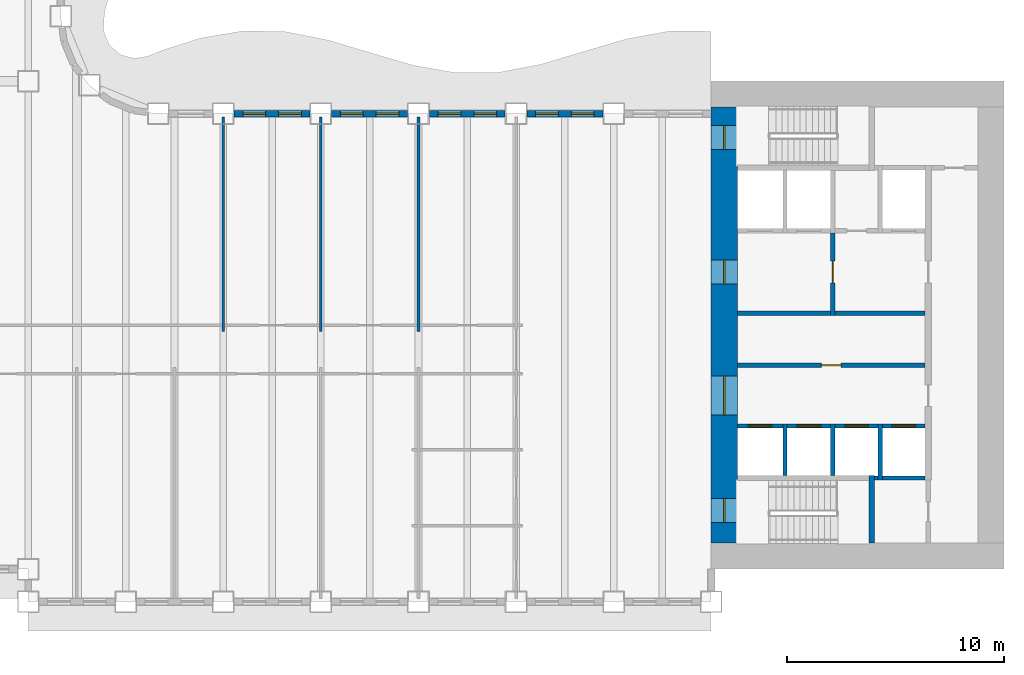
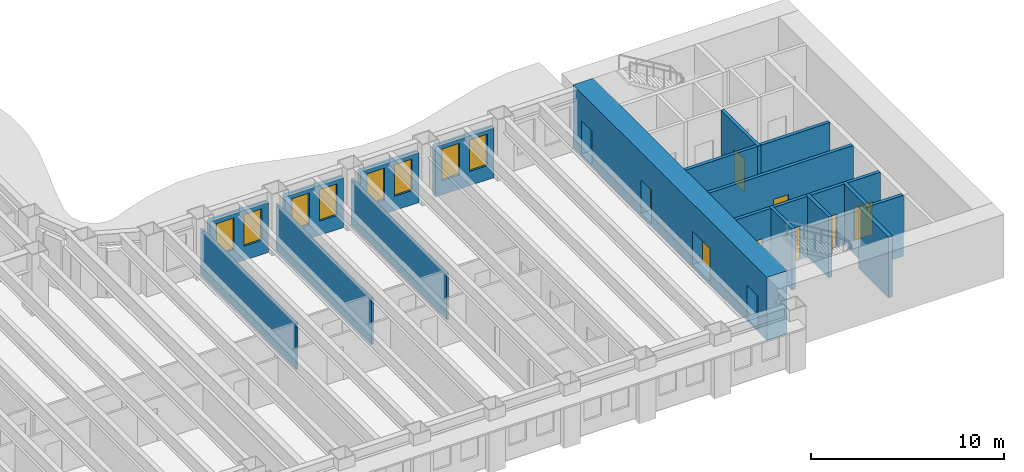
# One storey, part 6 of 16: 22 walls, 10 doors, 8 windows, 18 openings.
"""IFC4 building model written with IfcOpenShell, lengths in metres."""

import ifcopenshell
import ifcopenshell.guid

model = None  # the IFC model being written
_history = None  # IfcOwnerHistory: only IFC2X3 demands one
_inside = {}  # id of a spatial element -> (the spatial element, [elements in it])
_under = {}  # id of a project, library or spatial element -> (it, [spatial elements below it])
_declared = {}  # id of a project -> (the project, [libraries it declares])
_typed = {}  # id of a type object -> (the type object, [elements of that type])
_made_of = {}  # id of a material, layer set ... -> (it, [elements and type objects made of it])


def new_model(schema):
    """Start an empty IFC model of exactly this schema.

    Asked for "IFC4X3", IfcOpenShell would pick the latest addendum, in which some entities
    have other attributes; the version numbers below select the first issue.
    IFC2X3 requires an IfcOwnerHistory on every rooted entity: one is made here for all.
    """
    global model, _history
    if schema == "IFC4X3":
        model = ifcopenshell.file(schema_version=(4, 3, 0, 0))
    else:
        model = ifcopenshell.file(schema=schema)
    _inside.clear()
    _under.clear()
    _declared.clear()
    _typed.clear()
    _made_of.clear()
    _history = None
    if model.schema == "IFC2X3":
        org = make("IfcOrganization", Name="unknown")
        user = make(
            "IfcPersonAndOrganization",
            ThePerson=make("IfcPerson", FamilyName="unknown"),
            TheOrganization=org,
        )
        app = make(
            "IfcApplication",
            ApplicationDeveloper=org,
            Version="unknown",
            ApplicationFullName="unknown",
            ApplicationIdentifier="unknown",
        )
        _history = make(
            "IfcOwnerHistory",
            OwningUser=user,
            OwningApplication=app,
            ChangeAction="ADDED",
            CreationDate=0,
        )
    return model


def make(cls, **values):
    """One entity of the class cls with the attributes given. An attribute that is None is left unset."""
    return model.create_entity(
        cls, **{name: value for name, value in values.items() if value is not None}
    )


def rooted(cls, **values):
    """An entity with a GlobalId (a new one), such as an element, a storey or a relation."""
    return make(cls, GlobalId=ifcopenshell.guid.new(), OwnerHistory=_history, **values)


def si_unit(unit_type, name, prefix=None):
    """IfcSIUnit, for example si_unit("LENGTHUNIT", "METRE", prefix="MILLI")."""
    return make("IfcSIUnit", UnitType=unit_type, Prefix=prefix, Name=name)


def assignment(units):
    """IfcUnitAssignment: the units of a project."""
    return None if units is None else make("IfcUnitAssignment", Units=units)


def point(xyz):
    """IfcCartesianPoint."""
    return None if xyz is None else make("IfcCartesianPoint", Coordinates=xyz)


def direction(xyz):
    """IfcDirection."""
    return None if xyz is None else make("IfcDirection", DirectionRatios=xyz)


def frame(location, z_axis=None, x_axis=None):
    """IfcAxis2Placement3D, a coordinate frame: its origin and axes. An axis left out is left unset."""
    return make(
        "IfcAxis2Placement3D",
        Location=point(location),
        Axis=direction(z_axis),
        RefDirection=direction(x_axis),
    )


def frame_2d(location, x_axis=None):
    """IfcAxis2Placement2D, a coordinate frame in the plane: its origin and x axis."""
    return make(
        "IfcAxis2Placement2D", Location=point(location), RefDirection=direction(x_axis)
    )


def origin():
    """The frame at (0, 0, 0) with its axes left unset."""
    return frame((0.0, 0.0, 0.0))


def place(relative_to, where):
    """IfcLocalPlacement: puts the frame where relative to a parent placement (None: the world)."""
    return make(
        "IfcLocalPlacement", PlacementRelTo=relative_to, RelativePlacement=where
    )


def context(
    kind, dimensions, precision=None, world=None, true_north=None, identifier=None
):
    """IfcGeometricRepresentationContext, for example the 3D "Model" context."""
    return make(
        "IfcGeometricRepresentationContext",
        ContextIdentifier=identifier,
        ContextType=kind,
        CoordinateSpaceDimension=dimensions,
        Precision=precision,
        WorldCoordinateSystem=world,
        TrueNorth=true_north,
    )


def subcontext(parent, identifier, kind, view, scale=None):
    """IfcGeometricRepresentationSubContext, for example "Body" below "Model"."""
    return make(
        "IfcGeometricRepresentationSubContext",
        ContextIdentifier=identifier,
        ContextType=kind,
        ParentContext=parent,
        TargetScale=scale,
        TargetView=view,
    )


def project(units=None, contexts=None):
    """IfcProject with its units and contexts."""
    return rooted(
        "IfcProject",
        Name="project",
        RepresentationContexts=contexts,
        UnitsInContext=assignment(units),
    )


def spatial(cls, under=None, at=None, **own):
    """A site, building, storey or space (cls), placed at a placement, below another one or the project."""
    s = rooted(cls, ObjectPlacement=at, **own)
    if under is not None:
        _under.setdefault(under.id(), (under, []))[1].append(s)
    return s


def profile(cls, at=None, kind="AREA", **sizes):
    """A parametric profile (cls). Its sizes go by their IFC names, for example OverallWidth=200.0."""
    return make(cls, ProfileType=kind, Position=at, **sizes)


def rectangle(**sizes):
    """IfcRectangleProfileDef."""
    return profile("IfcRectangleProfileDef", **sizes)


def extrude(swept, where, along, depth):
    """IfcExtrudedAreaSolid: the profile swept, set in the frame where, extruded along a direction by depth."""
    return make(
        "IfcExtrudedAreaSolid",
        SweptArea=swept,
        Position=where,
        ExtrudedDirection=direction(along),
        Depth=depth,
    )


def shape(context_of_items, identifier, shape_type, items):
    """IfcShapeRepresentation: the items that make up one representation, for example the "Body"."""
    return make(
        "IfcShapeRepresentation",
        ContextOfItems=context_of_items,
        RepresentationIdentifier=identifier,
        RepresentationType=shape_type,
        Items=items,
    )


def material(Name=None, Category=None):
    """IfcMaterial."""
    return make("IfcMaterial", Name=Name, Category=Category)


def layer(
    of_material, thickness, ventilated=None, Name=None, Category=None, Priority=None
):
    """IfcMaterialLayer: one layer of a wall or slab, of a material (None: an air gap)."""
    return make(
        "IfcMaterialLayer",
        Material=of_material,
        LayerThickness=thickness,
        IsVentilated=ventilated,
        Name=Name,
        Category=Category,
        Priority=Priority,
    )


def layer_set(layers, Name=None):
    """IfcMaterialLayerSet."""
    return make("IfcMaterialLayerSet", MaterialLayers=layers, LayerSetName=Name)


def made_of(thing, what):
    """Note that an element or type object is made of a material, layer set ...; save() writes the relation."""
    if what is not None:
        _made_of.setdefault(what.id(), (what, []))[1].append(thing)
    return thing


def type_object(cls, material=None, **own):
    """A type object (cls), such as IfcWallType, which elements share."""
    return made_of(rooted(cls, **own), material)


def element(
    cls,
    number,
    at=None,
    inside=None,
    cuts=None,
    type_object=None,
    material=None,
    context=None,
    identifier="Body",
    shape_type=None,
    held_by="IfcProductDefinitionShape",
    body=None,
    shapes=None,
    **own,
):
    """One element of the class cls, such as IfcWall. Its Tag is "e" and its number.

    at: its placement. inside: the storey or other place that contains it. cuts: it is an
    opening in that element (IfcRelVoidsElement). A single representation is given by context,
    identifier, shape_type and body (its items); several are given by shapes. held_by: the class
    of the entity that holds the representations. save() writes the other relations.
    """
    e = rooted(cls, Tag="e%d" % number, ObjectPlacement=at, **own)
    if body is not None:
        shapes = [shape(context, identifier, shape_type, body)]
    if shapes is not None:
        e.Representation = make(held_by, Representations=shapes)
    if inside is not None:
        _inside.setdefault(inside.id(), (inside, []))[1].append(e)
    if cuts is not None:
        rooted(
            "IfcRelVoidsElement", RelatingBuildingElement=cuts, RelatedOpeningElement=e
        )
    if type_object is not None:
        _typed.setdefault(type_object.id(), (type_object, []))[1].append(e)
    return made_of(e, material)


def fill(opening, filler):
    """IfcRelFillsElement: the door or window that sits in an opening."""
    return rooted(
        "IfcRelFillsElement",
        RelatingOpeningElement=opening,
        RelatedBuildingElement=filler,
    )


def aggregate(whole, parts):
    """IfcRelAggregates: a whole, such as a stair, and the parts it consists of."""
    return rooted("IfcRelAggregates", RelatingObject=whole, RelatedObjects=parts)


def save(model, path):
    """Write the relations noted so far, then the file.

    IfcRelAggregates (storeys below a building ...), IfcRelContainedInSpatialStructure (elements
    in a storey), IfcRelDefinesByType, IfcRelAssociatesMaterial and IfcRelDeclares: one each for
    every whole, place, type object, material and project.
    """
    for whole, parts in _under.values():
        aggregate(whole, parts)
    for where, things in _inside.values():
        rooted(
            "IfcRelContainedInSpatialStructure",
            RelatedElements=things,
            RelatingStructure=where,
        )
    for kind, things in _typed.values():
        rooted("IfcRelDefinesByType", RelatedObjects=things, RelatingType=kind)
    for what, things in _made_of.values():
        rooted("IfcRelAssociatesMaterial", RelatedObjects=things, RelatingMaterial=what)
    for by, libraries in _declared.values():
        rooted("IfcRelDeclares", RelatingContext=by, RelatedDefinitions=libraries)
    model.write(path)


model = new_model("IFC4")

# Units and contexts
model_context = context("Model", 3, precision=1e-05, world=origin(), true_north=direction((0.0, 1.0)))
body_context = subcontext(model_context, "Body", "Model", "MODEL_VIEW")
ifc_project = project(units=[si_unit("LENGTHUNIT", "METRE"), si_unit("AREAUNIT", "SQUARE_METRE"), si_unit("VOLUMEUNIT", "CUBIC_METRE"), si_unit("PLANEANGLEUNIT", "RADIAN"), si_unit("MASSUNIT", "GRAM", prefix="KILO")], contexts=[model_context])

# Site, building, storey
site_placement = place(None, origin())
site = spatial("IfcSite", under=ifc_project, at=site_placement, CompositionType="ELEMENT")
building_placement = place(site_placement, origin())
building = spatial("IfcBuilding", under=site, at=building_placement, Name="Sennacour Bend Tower", CompositionType="ELEMENT")
storey_placement = place(building_placement, frame((0.0, 0.0, 115.0)))
storey = spatial("IfcBuildingStorey", under=building, at=storey_placement, Name="L26", CompositionType="ELEMENT", Elevation=115.0)

# Wall, openings, doors
ifc_material_1 = material(Name="Concrete C80/95", Category="concrete")
ifc_layer_1 = layer(ifc_material_1, 1.199951171875, Name="Concrete C80/95", Category="concrete")
ifc_layer_set_1 = layer_set([ifc_layer_1], Name="Concrete C80/95")
wall_type_1 = type_object("IfcWallType", Name="Core wall 1200 C80/95", PredefinedType="SHEAR", material=ifc_layer_set_1)
wall_1_placement = place(storey_placement, frame((54.60009765625, 1.199951171875, -0.14990234375), z_axis=(0.0, 0.0, 1.0), x_axis=(0.0, 1.0, 0.0)))
wall_1 = element("IfcWall", 1, at=wall_1_placement, inside=storey, type_object=wall_type_1, Name="Core A wall L26 W", PredefinedType="SHEAR", context=body_context, shape_type="SweptSolid", body=[
    extrude(rectangle(XDim=20.10009765625, YDim=1.199951171875, at=frame_2d((10.050048828125, 0.0))), origin(), (0.0, 0.0, 1.0), 4.0),
])
opening_1_placement = place(wall_1_placement, frame((5.89990234375, 0.0, 0.14990234375)))
opening_1 = element("IfcOpeningElement", 2, at=opening_1_placement, cuts=wall_1, Name="Opening CD", PredefinedType="OPENING", context=body_context, shape_type="SweptSolid", body=[
    extrude(rectangle(XDim=1.800048828125, YDim=2.10009765625, at=frame_2d((0.89990234375, 1.050048828125))), frame((0.0, 0.60986328125, 0.0), z_axis=(0.0, -1.0, 0.0), x_axis=(1.0, 0.0, 0.0)), (0.0, 0.0, 1.0), 1.219970703125),
])
opening_2_placement = place(wall_1_placement, frame((11.949951171875, 0.0, 0.14990234375)))
opening_2 = element("IfcOpeningElement", 3, at=opening_2_placement, cuts=wall_1, Name="Opening FD", PredefinedType="OPENING", context=body_context, shape_type="SweptSolid", body=[
    extrude(rectangle(XDim=1.10009765625, YDim=2.10009765625, at=frame_2d((0.550048828125, 1.050048828125))), frame((0.0, 0.60986328125, 0.0), z_axis=(0.0, -1.0, 0.0), x_axis=(1.0, 0.0, 0.0)), (0.0, 0.0, 1.0), 1.219970703125),
])
opening_3_placement = place(wall_1_placement, frame((0.949951171875, 0.0, 0.14990234375)))
opening_3 = element("IfcOpeningElement", 4, at=opening_3_placement, cuts=wall_1, Name="Opening SD", PredefinedType="OPENING", context=body_context, shape_type="SweptSolid", body=[
    extrude(rectangle(XDim=1.10009765625, YDim=2.10009765625, at=frame_2d((0.550048828125, 1.050048828125))), frame((0.0, 0.60986328125, 0.0), z_axis=(0.0, -1.0, 0.0), x_axis=(1.0, 0.0, 0.0)), (0.0, 0.0, 1.0), 1.219970703125),
])
opening_4_placement = place(wall_1_placement, frame((18.14990234375, 0.0, 0.14990234375)))
opening_4 = element("IfcOpeningElement", 5, at=opening_4_placement, cuts=wall_1, Name="Opening SD", PredefinedType="OPENING", context=body_context, shape_type="SweptSolid", body=[
    extrude(rectangle(XDim=1.10009765625, YDim=2.10009765625, at=frame_2d((0.550048828125, 1.050048828125))), frame((0.0, 0.60986328125, 0.0), z_axis=(0.0, -1.0, 0.0), x_axis=(1.0, 0.0, 0.0)), (0.0, 0.0, 1.0), 1.219970703125),
])
ifc_material_2 = material(Name="Painted steel", Category="steel")
door_type_1 = type_object("IfcDoorType", Name="DR-FFL-1100", OperationType="NOTDEFINED", PredefinedType="DOOR", material=ifc_material_2)
door_1_placement = place(opening_2_placement, origin())
door_1 = element("IfcDoor", 6, at=door_1_placement, inside=storey, type_object=door_type_1, Name="Door", OperationType="SINGLE_SWING_RIGHT", OverallHeight=2.10009765625, OverallWidth=1.10009765625, PredefinedType="DOOR", context=body_context, shape_type="SweptSolid", body=[
    extrude(rectangle(XDim=1.10009765625, YDim=2.10009765625, at=frame_2d((0.550048828125, 1.050048828125))), frame((0.0, 0.02490234375, 0.0), z_axis=(0.0, -1.0, 0.0), x_axis=(1.0, 0.0, 0.0)), (0.0, 0.0, 1.0), 0.050048828125),
])
fill(opening_2, door_1)
door_type_2 = type_object("IfcDoorType", Name="DR-LOBBY-1800", OperationType="NOTDEFINED", PredefinedType="DOOR", material=ifc_material_2)
door_2_placement = place(opening_1_placement, origin())
door_2 = element("IfcDoor", 7, at=door_2_placement, inside=storey, type_object=door_type_2, Name="Door", OperationType="DOUBLE_DOOR_SINGLE_SWING", OverallHeight=2.10009765625, OverallWidth=1.800048828125, PredefinedType="DOOR", context=body_context, shape_type="SweptSolid", body=[
    extrude(rectangle(XDim=1.800048828125, YDim=2.10009765625, at=frame_2d((0.89990234375, 1.050048828125))), frame((0.0, 0.02490234375, 0.0), z_axis=(0.0, -1.0, 0.0), x_axis=(1.0, 0.0, 0.0)), (0.0, 0.0, 1.0), 0.050048828125),
])
fill(opening_1, door_2)
door_type_3 = type_object("IfcDoorType", Name="DR-STAIR-1100", OperationType="NOTDEFINED", PredefinedType="DOOR", material=ifc_material_2)
door_3_placement = place(opening_3_placement, origin())
door_3 = element("IfcDoor", 8, at=door_3_placement, inside=storey, type_object=door_type_3, Name="Door", OperationType="SINGLE_SWING_LEFT", OverallHeight=2.10009765625, OverallWidth=1.10009765625, PredefinedType="DOOR", context=body_context, shape_type="SweptSolid", body=[
    extrude(rectangle(XDim=1.10009765625, YDim=2.10009765625, at=frame_2d((0.550048828125, 1.050048828125))), frame((0.0, 0.02490234375, 0.0), z_axis=(0.0, -1.0, 0.0), x_axis=(1.0, 0.0, 0.0)), (0.0, 0.0, 1.0), 0.050048828125),
])
fill(opening_3, door_3)
door_4_placement = place(opening_4_placement, origin())
door_4 = element("IfcDoor", 9, at=door_4_placement, inside=storey, type_object=door_type_3, Name="Door", OperationType="SINGLE_SWING_RIGHT", OverallHeight=2.10009765625, OverallWidth=1.10009765625, PredefinedType="DOOR", context=body_context, shape_type="SweptSolid", body=[
    extrude(rectangle(XDim=1.10009765625, YDim=2.10009765625, at=frame_2d((0.550048828125, 1.050048828125))), frame((0.0, 0.02490234375, 0.0), z_axis=(0.0, -1.0, 0.0), x_axis=(1.0, 0.0, 0.0)), (0.0, 0.0, 1.0), 0.050048828125),
])
fill(opening_4, door_4)

# Walls
ifc_material_3 = material(Name="Plasterboard partition on steel studs", Category="steel")
ifc_layer_2 = layer(ifc_material_3, 0.1201171875, Name="Plasterboard partition on steel studs", Category="steel")
ifc_layer_set_2 = layer_set([ifc_layer_2], Name="Plasterboard partition on steel studs")
wall_type_2 = type_object("IfcWallType", Name="Partition 120", PredefinedType="PARTITIONING", material=ifc_layer_set_2)
for number, where, z_axis, x_axis, name in (
    (10, (31.5, 10.949951171875, 0.0), (0.0, 0.0, 1.0), (0.0, 1.0, 0.0), "P-L26-W028a"),
    (11, (36.0, 10.949951171875, 0.0), (0.0, 0.0, 1.0), (0.0, 1.0, 0.0), "P-L26-W030a"),
    (12, (40.5, 10.949951171875, 0.0), (0.0, 0.0, 1.0), (0.0, 1.0, 0.0), "P-L26-W032a"),
):
    element("IfcWall", number, at=place(storey_placement, frame(where, z_axis=z_axis, x_axis=x_axis)), inside=storey, type_object=wall_type_2, Name=name, PredefinedType="PARTITIONING", context=body_context, shape_type="SweptSolid", body=[
        extrude(rectangle(XDim=9.900146484375, YDim=0.1201171875, at=frame_2d((4.9501953125, 0.0))), origin(), (0.0, 0.0, 1.0), 2.93798828125),
    ])

# Wall, opening, door
ifc_material_4 = material(Name="Fire-rated plasterboard partition on steel studs", Category="steel")
ifc_layer_3 = layer(ifc_material_4, 0.199951171875, Name="Fire-rated plasterboard partition on steel studs", Category="steel")
ifc_layer_set_3 = layer_set([ifc_layer_3], Name="Fire-rated plasterboard partition on steel studs")
wall_type_3 = type_object("IfcWallType", Name="Rated partition 200", PredefinedType="PARTITIONING", material=ifc_layer_set_3)
wall_2_placement = place(storey_placement, frame((55.199951171875, 9.39990234375, 0.0), z_axis=(0.0, 0.0, 1.0), x_axis=(1.0, 0.0, 0.0)))
wall_2 = element("IfcWall", 13, at=wall_2_placement, inside=storey, type_object=wall_type_3, Name="P-L26-W056", PredefinedType="PARTITIONING", context=body_context, shape_type="SweptSolid", body=[
    extrude(rectangle(XDim=8.650146484375, YDim=0.199951171875, at=frame_2d((4.3251953125, 0.0))), origin(), (0.0, 0.0, 1.0), 3.85009765625),
])
opening_5_placement = place(wall_2_placement, frame((3.875, 0.0, 0.0)))
opening_5 = element("IfcOpeningElement", 14, at=opening_5_placement, cuts=wall_2, Name="Opening SV", PredefinedType="OPENING", context=body_context, shape_type="SweptSolid", body=[
    extrude(rectangle(XDim=0.89990234375, YDim=2.10009765625, at=frame_2d((0.449951171875, 1.050048828125))), frame((0.0, 0.10986328125, 0.0), z_axis=(0.0, -1.0, 0.0), x_axis=(1.0, 0.0, 0.0)), (0.0, 0.0, 1.0), 0.219970703125),
])
door_type_4 = type_object("IfcDoorType", Name="DR-SERVICE-900", OperationType="NOTDEFINED", PredefinedType="DOOR", material=ifc_material_2)
door_5_placement = place(opening_5_placement, origin())
door_5 = element("IfcDoor", 15, at=door_5_placement, inside=storey, type_object=door_type_4, Name="Door", OperationType="SINGLE_SWING_LEFT", OverallHeight=2.10009765625, OverallWidth=0.89990234375, PredefinedType="DOOR", context=body_context, shape_type="SweptSolid", body=[
    extrude(rectangle(XDim=0.89990234375, YDim=2.10009765625, at=frame_2d((0.449951171875, 1.050048828125))), frame((0.0, 0.02490234375, 0.0), z_axis=(0.0, -1.0, 0.0), x_axis=(1.0, 0.0, 0.0)), (0.0, 0.0, 1.0), 0.050048828125),
])
fill(opening_5, door_5)

# Walls
wall_3_placement = place(storey_placement, frame((55.199951171875, 11.800048828125, 0.0), z_axis=(0.0, 0.0, 1.0), x_axis=(1.0, 0.0, 0.0)))
element("IfcWall", 16, at=wall_3_placement, inside=storey, type_object=wall_type_3, Name="P-L26-W058a", PredefinedType="PARTITIONING", context=body_context, shape_type="SweptSolid", body=[
    extrude(rectangle(XDim=4.300048828125, YDim=0.199951171875, at=frame_2d((2.14990234375, 0.0))), origin(), (0.0, 0.0, 1.0), 3.85009765625),
])
wall_4_placement = place(storey_placement, frame((59.699951171875, 11.800048828125, 0.0), z_axis=(0.0, 0.0, 1.0), x_axis=(1.0, 0.0, 0.0)))
element("IfcWall", 17, at=wall_4_placement, inside=storey, type_object=wall_type_3, Name="P-L26-W058b", PredefinedType="PARTITIONING", context=body_context, shape_type="SweptSolid", body=[
    extrude(rectangle(XDim=4.150146484375, YDim=0.199951171875, at=frame_2d((2.0751953125, 0.0))), origin(), (0.0, 0.0, 1.0), 3.85009765625),
])

# Wall, opening, door
ifc_layer_4 = layer(ifc_material_4, 0.199951171875, Name="Fire-rated plasterboard partition on steel studs", Category="steel")
ifc_layer_set_4 = layer_set([ifc_layer_4], Name="Fire-rated plasterboard partition on steel studs")
wall_type_4 = type_object("IfcWallType", Name="Rated partition 200 EI 90", PredefinedType="PARTITIONING", material=ifc_layer_set_4)
wall_5_placement = place(storey_placement, frame((59.60009765625, 11.699951171875, 0.0), z_axis=(0.0, 0.0, 1.0), x_axis=(0.0, 1.0, 0.0)))
wall_5 = element("IfcWall", 18, at=wall_5_placement, inside=storey, type_object=wall_type_4, Name="P-L26-W038", PredefinedType="PARTITIONING", context=body_context, shape_type="SweptSolid", body=[
    extrude(rectangle(XDim=3.800048828125, YDim=0.199951171875, at=frame_2d((1.89990234375, 0.0))), origin(), (0.0, 0.0, 1.0), 3.85009765625),
])
opening_6_placement = place(wall_5_placement, frame((1.5, 0.0, 0.0)))
opening_6 = element("IfcOpeningElement", 19, at=opening_6_placement, cuts=wall_5, Name="Opening FD2", PredefinedType="OPENING", context=body_context, shape_type="SweptSolid", body=[
    extrude(rectangle(XDim=1.0, YDim=2.10009765625, at=frame_2d((0.5, 1.050048828125))), frame((0.0, 0.10986328125, 0.0), z_axis=(0.0, -1.0, 0.0), x_axis=(1.0, 0.0, 0.0)), (0.0, 0.0, 1.0), 0.219970703125),
])
door_type_5 = type_object("IfcDoorType", Name="DR-FFL-1000", OperationType="NOTDEFINED", PredefinedType="DOOR", material=ifc_material_2)
door_6_placement = place(opening_6_placement, origin())
door_6 = element("IfcDoor", 20, at=door_6_placement, inside=storey, type_object=door_type_5, Name="Door", OperationType="SINGLE_SWING_RIGHT", OverallHeight=2.10009765625, OverallWidth=1.0, PredefinedType="DOOR", context=body_context, shape_type="SweptSolid", body=[
    extrude(rectangle(XDim=1.0, YDim=2.10009765625, at=frame_2d((0.5, 1.050048828125))), frame((0.0, 0.02490234375, 0.0), z_axis=(0.0, -1.0, 0.0), x_axis=(1.0, 0.0, 0.0)), (0.0, 0.0, 1.0), 0.050048828125),
])
fill(opening_6, door_6)

# Wall, openings, windows
ifc_material_5 = material(Name="Warm limestone cladding", Category="masonry")
ifc_layer_5 = layer(ifc_material_5, 0.050048828125, Name="Warm limestone cladding", Category="masonry")
ifc_material_6 = material(Name="Precast concrete C40/50", Category="concrete")
ifc_layer_6 = layer(ifc_material_6, 0.25, Name="Precast concrete C40/50", Category="concrete")
ifc_layer_set_5 = layer_set([ifc_layer_5, ifc_layer_6], Name="Precast concrete C40/50 with limestone cladding")
wall_type_5 = type_object("IfcWallType", Name="STONE-CLAD PRECAST SPANDREL 300", PredefinedType="STANDARD", material=ifc_layer_set_5)
wall_6_placement = place(storey_placement, frame((49.0, 21.0, 0.0), z_axis=(0.0, 0.0, 1.0), x_axis=(-1.0, 0.0, 0.0)))
wall_6 = element("IfcWall", 21, at=wall_6_placement, inside=storey, type_object=wall_type_5, Name="Stone spandrel and pier wall L26 06.01", PredefinedType="STANDARD", context=body_context, shape_type="SweptSolid", body=[
    extrude(rectangle(XDim=3.5, YDim=0.300048828125, at=frame_2d((1.75, 0.0))), origin(), (0.0, 0.0, 1.0), 3.154052734375),
])
opening_7_placement = place(wall_6_placement, frame((0.39990234375, 0.0, 0.89990234375)))
opening_7 = element("IfcOpeningElement", 22, at=opening_7_placement, cuts=wall_6, Name="Opening W13", PredefinedType="OPENING", context=body_context, shape_type="SweptSolid", body=[
    extrude(rectangle(XDim=1.050048828125, YDim=2.0, at=frame_2d((0.52490234375, 1.0))), frame((0.0, 0.16015625, 0.0), z_axis=(0.0, -1.0, 0.0), x_axis=(1.0, 0.0, 0.0)), (0.0, 0.0, 1.0), 0.320068359375),
])
opening_8_placement = place(wall_6_placement, frame((2.050048828125, 0.0, 0.89990234375)))
opening_8 = element("IfcOpeningElement", 23, at=opening_8_placement, cuts=wall_6, Name="Opening W13", PredefinedType="OPENING", context=body_context, shape_type="SweptSolid", body=[
    extrude(rectangle(XDim=1.050048828125, YDim=2.0, at=frame_2d((0.52490234375, 1.0))), frame((0.0, 0.16015625, 0.0), z_axis=(0.0, -1.0, 0.0), x_axis=(1.0, 0.0, 0.0)), (0.0, 0.0, 1.0), 0.320068359375),
])
ifc_material_7 = material(Name="Clear low-emissivity glass", Category="glass")
window_type = type_object("IfcWindowType", Name="WIN-RIBBON-1050x2000", PartitioningType="SINGLE_PANEL", PredefinedType="WINDOW", material=ifc_material_7)
window_1_placement = place(opening_7_placement, origin())
window_1 = element("IfcWindow", 24, at=window_1_placement, inside=storey, type_object=window_type, Name="Ribbon window L26 06.01.0", OverallHeight=2.0, OverallWidth=1.050048828125, PartitioningType="SINGLE_PANEL", PredefinedType="WINDOW", context=body_context, shape_type="SweptSolid", body=[
    extrude(rectangle(XDim=1.050048828125, YDim=2.0, at=frame_2d((0.52490234375, 1.0))), frame((0.0, 0.030029296875, 0.0), z_axis=(0.0, -1.0, 0.0), x_axis=(1.0, 0.0, 0.0)), (0.0, 0.0, 1.0), 0.06005859375),
])
fill(opening_7, window_1)
window_2_placement = place(opening_8_placement, origin())
window_2 = element("IfcWindow", 25, at=window_2_placement, inside=storey, type_object=window_type, Name="Ribbon window L26 06.01.1", OverallHeight=2.0, OverallWidth=1.050048828125, PartitioningType="SINGLE_PANEL", PredefinedType="WINDOW", context=body_context, shape_type="SweptSolid", body=[
    extrude(rectangle(XDim=1.050048828125, YDim=2.0, at=frame_2d((0.52490234375, 1.0))), frame((0.0, 0.030029296875, 0.0), z_axis=(0.0, -1.0, 0.0), x_axis=(1.0, 0.0, 0.0)), (0.0, 0.0, 1.0), 0.06005859375),
])
fill(opening_8, window_2)

wall_7_placement = place(storey_placement, frame((44.5, 21.0, 0.0), z_axis=(0.0, 0.0, 1.0), x_axis=(-1.0, 0.0, 0.0)))
wall_7 = element("IfcWall", 26, at=wall_7_placement, inside=storey, type_object=wall_type_5, Name="Stone spandrel and pier wall L26 06.02", PredefinedType="STANDARD", context=body_context, shape_type="SweptSolid", body=[
    extrude(rectangle(XDim=3.5, YDim=0.300048828125, at=frame_2d((1.75, 0.0))), origin(), (0.0, 0.0, 1.0), 3.154052734375),
])
opening_9_placement = place(wall_7_placement, frame((0.39990234375, 0.0, 0.89990234375)))
opening_9 = element("IfcOpeningElement", 27, at=opening_9_placement, cuts=wall_7, Name="Opening W13", PredefinedType="OPENING", context=body_context, shape_type="SweptSolid", body=[
    extrude(rectangle(XDim=1.050048828125, YDim=2.0, at=frame_2d((0.52490234375, 1.0))), frame((0.0, 0.16015625, 0.0), z_axis=(0.0, -1.0, 0.0), x_axis=(1.0, 0.0, 0.0)), (0.0, 0.0, 1.0), 0.320068359375),
])
opening_10_placement = place(wall_7_placement, frame((2.050048828125, 0.0, 0.89990234375)))
opening_10 = element("IfcOpeningElement", 28, at=opening_10_placement, cuts=wall_7, Name="Opening W13", PredefinedType="OPENING", context=body_context, shape_type="SweptSolid", body=[
    extrude(rectangle(XDim=1.050048828125, YDim=2.0, at=frame_2d((0.52490234375, 1.0))), frame((0.0, 0.16015625, 0.0), z_axis=(0.0, -1.0, 0.0), x_axis=(1.0, 0.0, 0.0)), (0.0, 0.0, 1.0), 0.320068359375),
])
window_3_placement = place(opening_9_placement, origin())
window_3 = element("IfcWindow", 29, at=window_3_placement, inside=storey, type_object=window_type, Name="Ribbon window L26 06.02.0", OverallHeight=2.0, OverallWidth=1.050048828125, PartitioningType="SINGLE_PANEL", PredefinedType="WINDOW", context=body_context, shape_type="SweptSolid", body=[
    extrude(rectangle(XDim=1.050048828125, YDim=2.0, at=frame_2d((0.52490234375, 1.0))), frame((0.0, 0.030029296875, 0.0), z_axis=(0.0, -1.0, 0.0), x_axis=(1.0, 0.0, 0.0)), (0.0, 0.0, 1.0), 0.06005859375),
])
fill(opening_9, window_3)
window_4_placement = place(opening_10_placement, origin())
window_4 = element("IfcWindow", 30, at=window_4_placement, inside=storey, type_object=window_type, Name="Ribbon window L26 06.02.1", OverallHeight=2.0, OverallWidth=1.050048828125, PartitioningType="SINGLE_PANEL", PredefinedType="WINDOW", context=body_context, shape_type="SweptSolid", body=[
    extrude(rectangle(XDim=1.050048828125, YDim=2.0, at=frame_2d((0.52490234375, 1.0))), frame((0.0, 0.030029296875, 0.0), z_axis=(0.0, -1.0, 0.0), x_axis=(1.0, 0.0, 0.0)), (0.0, 0.0, 1.0), 0.06005859375),
])
fill(opening_10, window_4)

wall_8_placement = place(storey_placement, frame((40.0, 21.0, 0.0), z_axis=(0.0, 0.0, 1.0), x_axis=(-1.0, 0.0, 0.0)))
wall_8 = element("IfcWall", 31, at=wall_8_placement, inside=storey, type_object=wall_type_5, Name="Stone spandrel and pier wall L26 06.03", PredefinedType="STANDARD", context=body_context, shape_type="SweptSolid", body=[
    extrude(rectangle(XDim=3.5, YDim=0.300048828125, at=frame_2d((1.75, 0.0))), origin(), (0.0, 0.0, 1.0), 3.154052734375),
])
opening_11_placement = place(wall_8_placement, frame((0.39990234375, 0.0, 0.89990234375)))
opening_11 = element("IfcOpeningElement", 32, at=opening_11_placement, cuts=wall_8, Name="Opening W13", PredefinedType="OPENING", context=body_context, shape_type="SweptSolid", body=[
    extrude(rectangle(XDim=1.050048828125, YDim=2.0, at=frame_2d((0.52490234375, 1.0))), frame((0.0, 0.16015625, 0.0), z_axis=(0.0, -1.0, 0.0), x_axis=(1.0, 0.0, 0.0)), (0.0, 0.0, 1.0), 0.320068359375),
])
opening_12_placement = place(wall_8_placement, frame((2.050048828125, 0.0, 0.89990234375)))
opening_12 = element("IfcOpeningElement", 33, at=opening_12_placement, cuts=wall_8, Name="Opening W13", PredefinedType="OPENING", context=body_context, shape_type="SweptSolid", body=[
    extrude(rectangle(XDim=1.050048828125, YDim=2.0, at=frame_2d((0.52490234375, 1.0))), frame((0.0, 0.16015625, 0.0), z_axis=(0.0, -1.0, 0.0), x_axis=(1.0, 0.0, 0.0)), (0.0, 0.0, 1.0), 0.320068359375),
])
window_5_placement = place(opening_11_placement, origin())
window_5 = element("IfcWindow", 34, at=window_5_placement, inside=storey, type_object=window_type, Name="Ribbon window L26 06.03.0", OverallHeight=2.0, OverallWidth=1.050048828125, PartitioningType="SINGLE_PANEL", PredefinedType="WINDOW", context=body_context, shape_type="SweptSolid", body=[
    extrude(rectangle(XDim=1.050048828125, YDim=2.0, at=frame_2d((0.52490234375, 1.0))), frame((0.0, 0.030029296875, 0.0), z_axis=(0.0, -1.0, 0.0), x_axis=(1.0, 0.0, 0.0)), (0.0, 0.0, 1.0), 0.06005859375),
])
fill(opening_11, window_5)
window_6_placement = place(opening_12_placement, origin())
window_6 = element("IfcWindow", 35, at=window_6_placement, inside=storey, type_object=window_type, Name="Ribbon window L26 06.03.1", OverallHeight=2.0, OverallWidth=1.050048828125, PartitioningType="SINGLE_PANEL", PredefinedType="WINDOW", context=body_context, shape_type="SweptSolid", body=[
    extrude(rectangle(XDim=1.050048828125, YDim=2.0, at=frame_2d((0.52490234375, 1.0))), frame((0.0, 0.030029296875, 0.0), z_axis=(0.0, -1.0, 0.0), x_axis=(1.0, 0.0, 0.0)), (0.0, 0.0, 1.0), 0.06005859375),
])
fill(opening_12, window_6)

wall_9_placement = place(storey_placement, frame((35.5, 21.0, 0.0), z_axis=(0.0, 0.0, 1.0), x_axis=(-1.0, 0.0, 0.0)))
wall_9 = element("IfcWall", 36, at=wall_9_placement, inside=storey, type_object=wall_type_5, Name="Stone spandrel and pier wall L26 06.04", PredefinedType="STANDARD", context=body_context, shape_type="SweptSolid", body=[
    extrude(rectangle(XDim=3.5, YDim=0.300048828125, at=frame_2d((1.75, 0.0))), origin(), (0.0, 0.0, 1.0), 3.154052734375),
])
opening_13_placement = place(wall_9_placement, frame((0.39990234375, 0.0, 0.89990234375)))
opening_13 = element("IfcOpeningElement", 37, at=opening_13_placement, cuts=wall_9, Name="Opening W13", PredefinedType="OPENING", context=body_context, shape_type="SweptSolid", body=[
    extrude(rectangle(XDim=1.050048828125, YDim=2.0, at=frame_2d((0.52490234375, 1.0))), frame((0.0, 0.16015625, 0.0), z_axis=(0.0, -1.0, 0.0), x_axis=(1.0, 0.0, 0.0)), (0.0, 0.0, 1.0), 0.320068359375),
])
opening_14_placement = place(wall_9_placement, frame((2.050048828125, 0.0, 0.89990234375)))
opening_14 = element("IfcOpeningElement", 38, at=opening_14_placement, cuts=wall_9, Name="Opening W13", PredefinedType="OPENING", context=body_context, shape_type="SweptSolid", body=[
    extrude(rectangle(XDim=1.050048828125, YDim=2.0, at=frame_2d((0.52490234375, 1.0))), frame((0.0, 0.16015625, 0.0), z_axis=(0.0, -1.0, 0.0), x_axis=(1.0, 0.0, 0.0)), (0.0, 0.0, 1.0), 0.320068359375),
])
window_7_placement = place(opening_13_placement, origin())
window_7 = element("IfcWindow", 39, at=window_7_placement, inside=storey, type_object=window_type, Name="Ribbon window L26 06.04.0", OverallHeight=2.0, OverallWidth=1.050048828125, PartitioningType="SINGLE_PANEL", PredefinedType="WINDOW", context=body_context, shape_type="SweptSolid", body=[
    extrude(rectangle(XDim=1.050048828125, YDim=2.0, at=frame_2d((0.52490234375, 1.0))), frame((0.0, 0.030029296875, 0.0), z_axis=(0.0, -1.0, 0.0), x_axis=(1.0, 0.0, 0.0)), (0.0, 0.0, 1.0), 0.06005859375),
])
fill(opening_13, window_7)
window_8_placement = place(opening_14_placement, origin())
window_8 = element("IfcWindow", 40, at=window_8_placement, inside=storey, type_object=window_type, Name="Ribbon window L26 06.04.1", OverallHeight=2.0, OverallWidth=1.050048828125, PartitioningType="SINGLE_PANEL", PredefinedType="WINDOW", context=body_context, shape_type="SweptSolid", body=[
    extrude(rectangle(XDim=1.050048828125, YDim=2.0, at=frame_2d((0.52490234375, 1.0))), frame((0.0, 0.030029296875, 0.0), z_axis=(0.0, -1.0, 0.0), x_axis=(1.0, 0.0, 0.0)), (0.0, 0.0, 1.0), 0.06005859375),
])
fill(opening_14, window_8)

# Walls
ifc_material_8 = material(Name="Concrete C50/60", Category="concrete")
ifc_layer_7 = layer(ifc_material_8, 0.199951171875, Name="Concrete C50/60", Category="concrete")
ifc_layer_set_6 = layer_set([ifc_layer_7], Name="Concrete C50/60")
wall_type_6 = type_object("IfcWallType", Name="Shaft wall 200", PredefinedType="SOLIDWALL", material=ifc_layer_set_6)
for number, where, z_axis, x_axis, name in (
    (41, (57.39990234375, 4.324951171875, 0.0), (0.0, 0.0, 1.0), (0.0, 1.0, 0.0), "P-L26-W035"),
    (42, (59.60009765625, 4.324951171875, 0.0), (0.0, 0.0, 1.0), (0.0, 1.0, 0.0), "P-L26-W037"),
):
    element("IfcWall", number, at=place(storey_placement, frame(where, z_axis=z_axis, x_axis=x_axis)), inside=storey, type_object=wall_type_6, Name=name, PredefinedType="SOLIDWALL", context=body_context, shape_type="SweptSolid", body=[
        extrude(rectangle(XDim=2.375, YDim=0.199951171875, at=frame_2d((1.1875, 0.0))), origin(), (0.0, 0.0, 1.0), 3.85009765625),
    ])
wall_10_placement = place(storey_placement, frame((61.800048828125, 4.10009765625, 0.0), z_axis=(0.0, 0.0, 1.0), x_axis=(0.0, 1.0, 0.0)))
element("IfcWall", 43, at=wall_10_placement, inside=storey, type_object=wall_type_6, Name="P-L26-W042", PredefinedType="SOLIDWALL", context=body_context, shape_type="SweptSolid", body=[
    extrude(rectangle(XDim=2.599853515625, YDim=0.199951171875, at=frame_2d((1.2998046875, 0.0))), origin(), (0.0, 0.0, 1.0), 3.85009765625),
])
wall_11_placement = place(storey_placement, frame((61.52490234375, 4.199951171875, 0.0), z_axis=(0.0, 0.0, 1.0), x_axis=(1.0, 0.0, 0.0)))
element("IfcWall", 44, at=wall_11_placement, inside=storey, type_object=wall_type_6, Name="P-L26-W052a", PredefinedType="SOLIDWALL", context=body_context, shape_type="SweptSolid", body=[
    extrude(rectangle(XDim=0.175048828125, YDim=0.199951171875, at=frame_2d((0.08740234375, 0.0))), origin(), (0.0, 0.0, 1.0), 3.85009765625),
])
wall_12_placement = place(storey_placement, frame((61.89990234375, 4.199951171875, 0.0), z_axis=(0.0, 0.0, 1.0), x_axis=(1.0, 0.0, 0.0)))
element("IfcWall", 45, at=wall_12_placement, inside=storey, type_object=wall_type_6, Name="P-L26-W052b", PredefinedType="SOLIDWALL", context=body_context, shape_type="SweptSolid", body=[
    extrude(rectangle(XDim=1.9501953125, YDim=0.199951171875, at=frame_2d((0.97509765625, 0.0))), origin(), (0.0, 0.0, 1.0), 3.85009765625),
])

# Wall, opening, door
wall_13_placement = place(storey_placement, frame((55.199951171875, 6.60009765625, 0.0), z_axis=(0.0, 0.0, 1.0), x_axis=(1.0, 0.0, 0.0)))
wall_13 = element("IfcWall", 46, at=wall_13_placement, inside=storey, type_object=wall_type_6, Name="P-L26-W054a", PredefinedType="SOLIDWALL", context=body_context, shape_type="SweptSolid", body=[
    extrude(rectangle(XDim=2.10009765625, YDim=0.199951171875, at=frame_2d((1.050048828125, 0.0))), origin(), (0.0, 0.0, 1.0), 3.85009765625),
])
opening_15_placement = place(wall_13_placement, frame((0.5, 0.0, 0.011962890625)))
opening_15 = element("IfcOpeningElement", 47, at=opening_15_placement, cuts=wall_13, Name="Opening LD", PredefinedType="OPENING", context=body_context, shape_type="SweptSolid", body=[
    extrude(rectangle(XDim=1.10009765625, YDim=2.10009765625, at=frame_2d((0.550048828125, 1.050048828125))), frame((0.0, 0.10986328125, 0.0), z_axis=(0.0, -1.0, 0.0), x_axis=(1.0, 0.0, 0.0)), (0.0, 0.0, 1.0), 0.219970703125),
])
ifc_material_9 = material(Name="Stainless steel", Category="steel")
door_type_6 = type_object("IfcDoorType", Name="DR-LANDING-1100", OperationType="NOTDEFINED", PredefinedType="DOOR", material=ifc_material_9)
door_7_placement = place(opening_15_placement, origin())
door_7 = element("IfcDoor", 48, at=door_7_placement, inside=storey, type_object=door_type_6, Name="Lift landing door LA1", OperationType="SLIDING_TO_LEFT", OverallHeight=2.10009765625, OverallWidth=1.10009765625, PredefinedType="DOOR", context=body_context, shape_type="SweptSolid", body=[
    extrude(rectangle(XDim=1.10009765625, YDim=2.10009765625, at=frame_2d((0.550048828125, 1.050048828125))), frame((0.0, 0.02490234375, 0.0), z_axis=(0.0, -1.0, 0.0), x_axis=(1.0, 0.0, 0.0)), (0.0, 0.0, 1.0), 0.050048828125),
])
fill(opening_15, door_7)

wall_14_placement = place(storey_placement, frame((57.5, 6.60009765625, 0.0), z_axis=(0.0, 0.0, 1.0), x_axis=(1.0, 0.0, 0.0)))
wall_14 = element("IfcWall", 49, at=wall_14_placement, inside=storey, type_object=wall_type_6, Name="P-L26-W054b", PredefinedType="SOLIDWALL", context=body_context, shape_type="SweptSolid", body=[
    extrude(rectangle(XDim=2.0, YDim=0.199951171875, at=frame_2d((1.0, 0.0))), origin(), (0.0, 0.0, 1.0), 3.85009765625),
])
opening_16_placement = place(wall_14_placement, frame((0.449951171875, 0.0, 0.011962890625)))
opening_16 = element("IfcOpeningElement", 50, at=opening_16_placement, cuts=wall_14, Name="Opening LD", PredefinedType="OPENING", context=body_context, shape_type="SweptSolid", body=[
    extrude(rectangle(XDim=1.10009765625, YDim=2.10009765625, at=frame_2d((0.550048828125, 1.050048828125))), frame((0.0, 0.10986328125, 0.0), z_axis=(0.0, -1.0, 0.0), x_axis=(1.0, 0.0, 0.0)), (0.0, 0.0, 1.0), 0.219970703125),
])
door_8_placement = place(opening_16_placement, origin())
door_8 = element("IfcDoor", 51, at=door_8_placement, inside=storey, type_object=door_type_6, Name="Lift landing door LA2", OperationType="SLIDING_TO_RIGHT", OverallHeight=2.10009765625, OverallWidth=1.10009765625, PredefinedType="DOOR", context=body_context, shape_type="SweptSolid", body=[
    extrude(rectangle(XDim=1.10009765625, YDim=2.10009765625, at=frame_2d((0.550048828125, 1.050048828125))), frame((0.0, 0.02490234375, 0.0), z_axis=(0.0, -1.0, 0.0), x_axis=(1.0, 0.0, 0.0)), (0.0, 0.0, 1.0), 0.050048828125),
])
fill(opening_16, door_8)

wall_15_placement = place(storey_placement, frame((59.699951171875, 6.60009765625, 0.0), z_axis=(0.0, 0.0, 1.0), x_axis=(1.0, 0.0, 0.0)))
wall_15 = element("IfcWall", 52, at=wall_15_placement, inside=storey, type_object=wall_type_6, Name="P-L26-W054c", PredefinedType="SOLIDWALL", context=body_context, shape_type="SweptSolid", body=[
    extrude(rectangle(XDim=2.0, YDim=0.199951171875, at=frame_2d((1.0, 0.0))), origin(), (0.0, 0.0, 1.0), 3.85009765625),
])
opening_17_placement = place(wall_15_placement, frame((0.449951171875, 0.0, 0.011962890625)))
opening_17 = element("IfcOpeningElement", 53, at=opening_17_placement, cuts=wall_15, Name="Opening LD", PredefinedType="OPENING", context=body_context, shape_type="SweptSolid", body=[
    extrude(rectangle(XDim=1.10009765625, YDim=2.10009765625, at=frame_2d((0.550048828125, 1.050048828125))), frame((0.0, 0.10986328125, 0.0), z_axis=(0.0, -1.0, 0.0), x_axis=(1.0, 0.0, 0.0)), (0.0, 0.0, 1.0), 0.219970703125),
])
door_9_placement = place(opening_17_placement, origin())
door_9 = element("IfcDoor", 54, at=door_9_placement, inside=storey, type_object=door_type_6, Name="Lift landing door LA3", OperationType="SLIDING_TO_LEFT", OverallHeight=2.10009765625, OverallWidth=1.10009765625, PredefinedType="DOOR", context=body_context, shape_type="SweptSolid", body=[
    extrude(rectangle(XDim=1.10009765625, YDim=2.10009765625, at=frame_2d((0.550048828125, 1.050048828125))), frame((0.0, 0.02490234375, 0.0), z_axis=(0.0, -1.0, 0.0), x_axis=(1.0, 0.0, 0.0)), (0.0, 0.0, 1.0), 0.050048828125),
])
fill(opening_17, door_9)

wall_16_placement = place(storey_placement, frame((61.89990234375, 6.60009765625, 0.0), z_axis=(0.0, 0.0, 1.0), x_axis=(1.0, 0.0, 0.0)))
wall_16 = element("IfcWall", 55, at=wall_16_placement, inside=storey, type_object=wall_type_6, Name="P-L26-W054d", PredefinedType="SOLIDWALL", context=body_context, shape_type="SweptSolid", body=[
    extrude(rectangle(XDim=1.9501953125, YDim=0.199951171875, at=frame_2d((0.97509765625, 0.0))), origin(), (0.0, 0.0, 1.0), 3.85009765625),
])
opening_18_placement = place(wall_16_placement, frame((0.425048828125, 0.0, 0.011962890625)))
opening_18 = element("IfcOpeningElement", 56, at=opening_18_placement, cuts=wall_16, Name="Opening LD", PredefinedType="OPENING", context=body_context, shape_type="SweptSolid", body=[
    extrude(rectangle(XDim=1.10009765625, YDim=2.10009765625, at=frame_2d((0.550048828125, 1.050048828125))), frame((0.0, 0.10986328125, 0.0), z_axis=(0.0, -1.0, 0.0), x_axis=(1.0, 0.0, 0.0)), (0.0, 0.0, 1.0), 0.219970703125),
])
door_10_placement = place(opening_18_placement, origin())
door_10 = element("IfcDoor", 57, at=door_10_placement, inside=storey, type_object=door_type_6, Name="Lift landing door LA4", OperationType="SLIDING_TO_RIGHT", OverallHeight=2.10009765625, OverallWidth=1.10009765625, PredefinedType="DOOR", context=body_context, shape_type="SweptSolid", body=[
    extrude(rectangle(XDim=1.10009765625, YDim=2.10009765625, at=frame_2d((0.550048828125, 1.050048828125))), frame((0.0, 0.02490234375, 0.0), z_axis=(0.0, -1.0, 0.0), x_axis=(1.0, 0.0, 0.0)), (0.0, 0.0, 1.0), 0.050048828125),
])
fill(opening_18, door_10)

# Wall
ifc_material_10 = material(Name="Concrete C60/75", Category="concrete")
ifc_layer_8 = layer(ifc_material_10, 0.25, Name="Concrete C60/75", Category="concrete")
ifc_layer_set_7 = layer_set([ifc_layer_8], Name="Concrete C60/75")
wall_type_7 = type_object("IfcWallType", Name="Stair wall 250", PredefinedType="SHEAR", material=ifc_layer_set_7)
wall_17_placement = place(storey_placement, frame((61.39990234375, 1.199951171875, 0.0), z_axis=(0.0, 0.0, 1.0), x_axis=(0.0, 1.0, 0.0)))
element("IfcWall", 58, at=wall_17_placement, inside=storey, type_object=wall_type_7, Name="P-L26-W040", PredefinedType="SHEAR", context=body_context, shape_type="SweptSolid", body=[
    extrude(rectangle(XDim=3.125, YDim=0.25, at=frame_2d((1.5625, 0.0))), origin(), (0.0, 0.0, 1.0), 3.85009765625),
])

save(model, "model.ifc")
